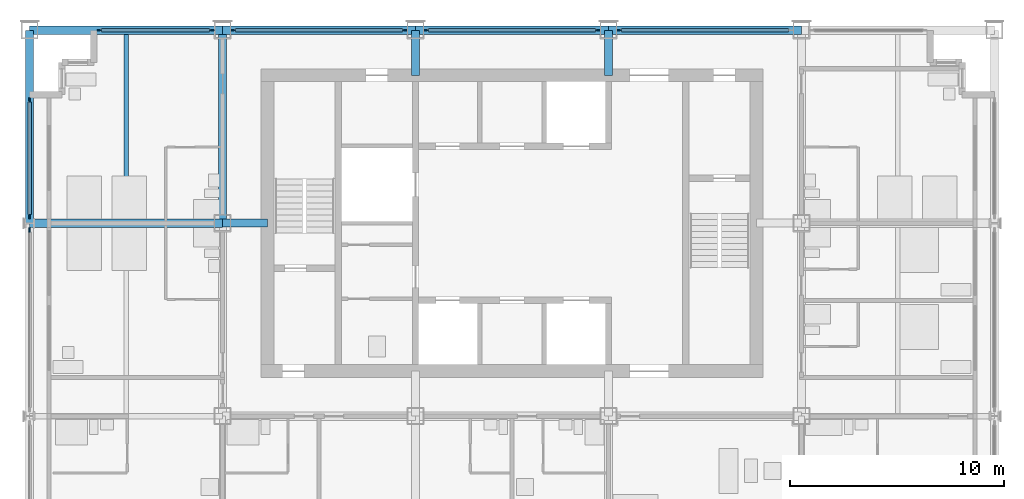
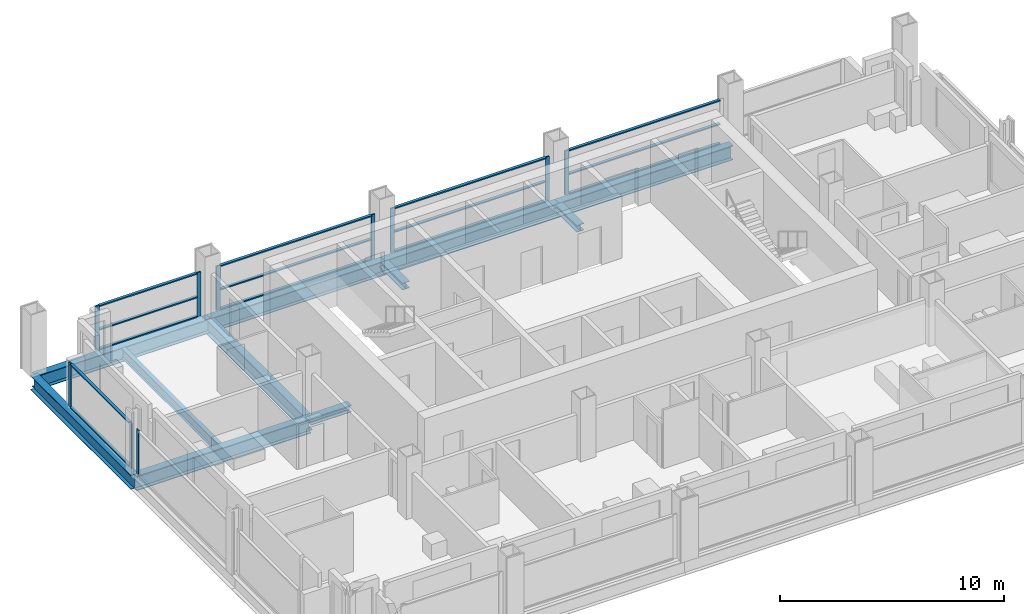
# One storey, part 4 of 13: 27 members, 8 beams, 6 elements without a shape of their own.
"""IFC4 building model written with IfcOpenShell, lengths in metres."""

from ifc_helpers import new_model, si_unit, direction, frame, origin, origin_2d, place, context, subcontext, project, spatial, rectangle, i_section, extrude, material, material_profile, profile_set, type_object, element, aggregate, save


model = new_model("IFC4")

# Units and contexts
model_context = context("Model", 3, precision=1e-05, world=origin(), true_north=direction((0.0, 1.0)))
body_context = subcontext(model_context, "Body", "Model", "MODEL_VIEW")
ifc_project = project(units=[si_unit("LENGTHUNIT", "METRE"), si_unit("AREAUNIT", "SQUARE_METRE"), si_unit("VOLUMEUNIT", "CUBIC_METRE"), si_unit("PLANEANGLEUNIT", "RADIAN"), si_unit("MASSUNIT", "GRAM", prefix="KILO")], contexts=[model_context])

# Site, building, storey
site_placement = place(None, origin())
site = spatial("IfcSite", under=ifc_project, at=site_placement, CompositionType="ELEMENT")
building_placement = place(site_placement, origin())
building = spatial("IfcBuilding", under=site, at=building_placement, Name="Loomwork Tower", CompositionType="ELEMENT")
storey_placement = place(building_placement, frame((0.0, 0.0, 197.800048828125)))
storey = spatial("IfcBuildingStorey", under=building, at=storey_placement, Name="L54", CompositionType="ELEMENT", Elevation=197.800048828125)

# Beams
ifc_material_1 = material(Name="Steel ASTM A992", Category="steel")
ifc_material_profile_1 = material_profile(ifc_material_1, i_section(OverallWidth=0.383544921875, OverallDepth=0.794921875, WebThickness=0.02099609375, FlangeThickness=0.0380859375, at=origin_2d()), Name="W30x235")
ifc_profile_set_1 = profile_set([ifc_material_profile_1], Name="Steel ASTM A992")
beam_type_1 = type_object("IfcBeamType", Name="CORE FLANK GIRDER W30x235", PredefinedType="BEAM", material=ifc_profile_set_1)
for number, where, z_axis, x_axis, name in (
    (1, (0.0, 18.0, -0.59765625), (1.0, 0.0, 0.0), (0.0, 1.0, 0.0), "Core Flank Girder F/2-F/3 L54"),
    (2, (9.0, 18.0, -0.59765625), (0.0, 1.0, 0.0), (-1.0, 0.0, 0.0), "Core Flank Girder F/3-G/3 L54"),
):
    element("IfcBeam", number, at=place(storey_placement, frame(where, z_axis=z_axis, x_axis=x_axis)), inside=storey, type_object=beam_type_1, Name=name, PredefinedType="BEAM", context=body_context, shape_type="SweptSolid", body=[
        extrude(i_section(OverallWidth=0.383544921875, OverallDepth=0.794921875, WebThickness=0.02099609375, FlangeThickness=0.0380859375, at=origin_2d()), origin(), (0.0, 0.0, 1.0), 9.0),
    ])

# Members
ifc_material_2 = material(Name="Steel ASTM A992", Category="steel")
ifc_material_profile_2 = material_profile(ifc_material_2, i_section(OverallWidth=0.373291015625, OverallDepth=0.373291015625, WebThickness=0.016357421875, FlangeThickness=0.026123046875, at=origin_2d()), Name="W14x132")
ifc_profile_set_2 = profile_set([ifc_material_profile_2], Name="Steel ASTM A992")
member_type_1 = type_object("IfcMemberType", Name="CORE LINK STRUT W14x132", PredefinedType="STRUT", material=ifc_profile_set_2)
for number, where, z_axis, x_axis, name in (
    (3, (27.0, 27.0, -0.38671875), (0.0, -1.0, 0.0), (1.0, 0.0, 0.0), "Core link strut G/5-27.000,24.900 L54"),
    (4, (18.0, 27.0, -0.38671875), (0.0, -1.0, 0.0), (1.0, 0.0, 0.0), "Core link strut G/4-18.000,24.900 L54"),
    (5, (9.0, 18.0, -0.38671875), (1.0, 0.0, 0.0), (0.0, 1.0, 0.0), "Core link strut F/3-11.100,18.000 L54"),
):
    element("IfcMember", number, at=place(storey_placement, frame(where, z_axis=z_axis, x_axis=x_axis)), inside=storey, type_object=member_type_1, Name=name, PredefinedType="STRUT", context=body_context, shape_type="SweptSolid", body=[
        extrude(i_section(OverallWidth=0.373291015625, OverallDepth=0.373291015625, WebThickness=0.016357421875, FlangeThickness=0.026123046875, at=origin_2d()), origin(), (0.0, 0.0, 1.0), 2.10009765625),
    ])

# Beam
ifc_material_3 = material(Name="Steel ASTM A992", Category="steel")
ifc_material_profile_3 = material_profile(ifc_material_3, i_section(OverallWidth=0.2109375, OverallDepth=0.53857421875, WebThickness=0.011474609375, FlangeThickness=0.018798828125, at=origin_2d()), Name="W21x73")
ifc_profile_set_3 = profile_set([ifc_material_profile_3], Name="Steel ASTM A992")
beam_type_2 = type_object("IfcBeamType", Name="FLOOR JOIST W21x73", PredefinedType="JOIST", material=ifc_profile_set_3)
beam_placement = place(storey_placement, frame((4.5, 18.19091796875, -0.46923828125), z_axis=(0.0, 1.0, 0.0), x_axis=(-1.0, 0.0, 0.0)))
element("IfcBeam", 6, at=beam_placement, inside=storey, type_object=beam_type_2, Name="Floor Joist 4.500,18.000-4.500,27.000 L54", PredefinedType="JOIST", context=body_context, shape_type="SweptSolid", body=[
    extrude(i_section(OverallWidth=0.2109375, OverallDepth=0.53857421875, WebThickness=0.011474609375, FlangeThickness=0.018798828125, at=origin_2d()), origin(), (0.0, 0.0, 1.0), 8.619140625),
])

# Curtain wall, member
ifc_material_4 = material(Name="Aluminium curtain wall frame", Category="aluminium")
curtain_wall_type_1 = type_object("IfcCurtainWallType", Name="Outer skin glazing hotel", PredefinedType="NOTDEFINED", material=ifc_material_4)
curtain_wall_1_placement = place(storey_placement, origin())
curtain_wall_1 = element("IfcCurtainWall", 7, at=curtain_wall_1_placement, inside=storey, type_object=curtain_wall_type_1, Name="Outer skin glazing hotel cw/W-9", PredefinedType="NOTDEFINED")
ifc_material_5 = material(Name="Aluminium curtain wall frame", Category="aluminium")
ifc_material_profile_4 = material_profile(ifc_material_5, rectangle(XDim=0.06494140625, YDim=0.199951171875, at=origin_2d()), Name="AL 65x200")
ifc_profile_set_4 = profile_set([ifc_material_profile_4], Name="Aluminium curtain wall frame")
member_type_2 = type_object("IfcMemberType", Name="Outer skin glazing hotel mullion", PredefinedType="MULLION", material=ifc_profile_set_4)
member_1_placement = place(storey_placement, frame((0.0, 17.6865234375, 0.0), z_axis=(0.0, 0.0, 1.0), x_axis=(1.0, 0.0, 0.0)))
member_1 = element("IfcMember", 8, at=member_1_placement, type_object=member_type_2, Name="CW1 mullion 1", PredefinedType="MULLION", context=body_context, shape_type="SweptSolid", body=[
    extrude(rectangle(XDim=0.06494140625, YDim=0.199951171875, at=origin_2d()), origin(), (0.0, 0.0, 1.0), 2.420166015625),
])
aggregate(curtain_wall_1, [member_1])

# Curtain wall, members
curtain_wall_2_placement = place(storey_placement, origin())
curtain_wall_2 = element("IfcCurtainWall", 9, at=curtain_wall_2_placement, inside=storey, type_object=curtain_wall_type_1, Name="Outer skin glazing hotel cw/W-18", PredefinedType="NOTDEFINED")
member_2_placement = place(storey_placement, frame((0.0, 23.75, 0.0), z_axis=(0.0, 0.0, 1.0), x_axis=(1.0, 0.0, 0.0)))
member_2 = element("IfcMember", 10, at=member_2_placement, type_object=member_type_2, Name="CW1 mullion 1", PredefinedType="MULLION", context=body_context, shape_type="SweptSolid", body=[
    extrude(rectangle(XDim=0.06494140625, YDim=0.199951171875, at=origin_2d()), origin(), (0.0, 0.0, 1.0), 2.420166015625),
])
member_3_placement = place(storey_placement, frame((0.0, 18.3134765625, 0.0), z_axis=(0.0, 0.0, 1.0), x_axis=(1.0, 0.0, 0.0)))
member_3 = element("IfcMember", 11, at=member_3_placement, type_object=member_type_2, Name="CW1 mullion 2", PredefinedType="MULLION", context=body_context, shape_type="SweptSolid", body=[
    extrude(rectangle(XDim=0.06494140625, YDim=0.199951171875, at=origin_2d()), origin(), (0.0, 0.0, 1.0), 2.420166015625),
])
ifc_material_6 = material(Name="Aluminium curtain wall frame", Category="aluminium")
ifc_material_profile_5 = material_profile(ifc_material_6, rectangle(XDim=0.14990234375, YDim=0.06494140625, at=origin_2d()), Name="AL 65x150")
ifc_profile_set_5 = profile_set([ifc_material_profile_5], Name="Aluminium curtain wall frame")
member_type_3 = type_object("IfcMemberType", Name="Outer skin glazing hotel transom", PredefinedType="USERDEFINED", material=ifc_profile_set_5)
member_4_placement = place(storey_placement, frame((0.0, 23.64990234375, 0.032470703125), z_axis=(0.0, -1.0, 0.0), x_axis=(1.0, 0.0, 0.0)))
member_4 = element("IfcMember", 12, at=member_4_placement, type_object=member_type_3, Name="CW1 transom 1.1", ObjectType="TRANSOM", PredefinedType="USERDEFINED", context=body_context, shape_type="SweptSolid", body=[
    extrude(rectangle(XDim=0.14990234375, YDim=0.06494140625, at=origin_2d()), origin(), (0.0, 0.0, 1.0), 5.236572265625),
])
member_5_placement = place(storey_placement, frame((0.0, 23.64990234375, 2.3876953125), z_axis=(0.0, -1.0, 0.0), x_axis=(1.0, 0.0, 0.0)))
member_5 = element("IfcMember", 13, at=member_5_placement, type_object=member_type_3, Name="CW1 transom 1.2", ObjectType="TRANSOM", PredefinedType="USERDEFINED", context=body_context, shape_type="SweptSolid", body=[
    extrude(rectangle(XDim=0.14990234375, YDim=0.06494140625, at=origin_2d()), origin(), (0.0, 0.0, 1.0), 5.236572265625),
])
aggregate(curtain_wall_2, [member_2, member_3, member_4, member_5])

# Beams
ifc_material_7 = material(Name="Steel ASTM A992", Category="steel")
ifc_material_profile_6 = material_profile(ifc_material_7, i_section(OverallWidth=0.381103515625, OverallDepth=0.77978515625, WebThickness=0.01806640625, FlangeThickness=0.0302734375, at=origin_2d()), Name="W30x191")
ifc_profile_set_6 = profile_set([ifc_material_profile_6], Name="Steel ASTM A992")
beam_type_3 = type_object("IfcBeamType", Name="SPANDREL GIRDER W30x191", PredefinedType="SPANDREL", material=ifc_profile_set_6)
for number, where, z_axis, x_axis, name in (
    (14, (0.0, 27.0, -0.58984375), (1.0, 0.0, 0.0), (0.0, 1.0, 0.0), "Spandrel Girder G/2-G/3 L54"),
    (15, (9.0, 27.0, -0.58984375), (1.0, 0.0, 0.0), (0.0, 1.0, 0.0), "Spandrel Girder G/3-G/4 L54"),
    (16, (18.0, 27.0, -0.58984375), (1.0, 0.0, 0.0), (0.0, 1.0, 0.0), "Spandrel Girder G/4-G/5 L54"),
    (17, (27.0, 27.0, -0.58984375), (1.0, 0.0, 0.0), (0.0, 1.0, 0.0), "Spandrel Girder G/5-G/6 L54"),
    (18, (0.0, 18.0, -0.58984375), (0.0, 1.0, 0.0), (-1.0, 0.0, 0.0), "Spandrel Girder F/2-G/2 L54"),
):
    element("IfcBeam", number, at=place(storey_placement, frame(where, z_axis=z_axis, x_axis=x_axis)), inside=storey, type_object=beam_type_3, Name=name, PredefinedType="SPANDREL", context=body_context, shape_type="SweptSolid", body=[
        extrude(i_section(OverallWidth=0.381103515625, OverallDepth=0.77978515625, WebThickness=0.01806640625, FlangeThickness=0.0302734375, at=origin_2d()), origin(), (0.0, 0.0, 1.0), 9.0),
    ])

# Curtain wall, members
ifc_material_8 = material(Name="Aluminium curtain wall frame", Category="aluminium")
curtain_wall_type_2 = type_object("IfcCurtainWallType", Name="Single skin glazing corridor", PredefinedType="NOTDEFINED", material=ifc_material_8)
curtain_wall_3_placement = place(storey_placement, origin())
curtain_wall_3 = element("IfcCurtainWall", 19, at=curtain_wall_3_placement, inside=storey, type_object=curtain_wall_type_2, Name="Single skin glazing corridor cw/N-0", PredefinedType="NOTDEFINED")
ifc_material_9 = material(Name="Aluminium curtain wall frame", Category="aluminium")
ifc_material_profile_7 = material_profile(ifc_material_9, rectangle(XDim=0.06494140625, YDim=0.199951171875, at=origin_2d()), Name="AL 65x200")
ifc_profile_set_7 = profile_set([ifc_material_profile_7], Name="Aluminium curtain wall frame")
member_type_4 = type_object("IfcMemberType", Name="Single skin glazing corridor mullion", PredefinedType="MULLION", material=ifc_profile_set_7)
member_6_placement = place(storey_placement, frame((8.5, 27.0, 0.0), z_axis=(0.0, 0.0, 1.0), x_axis=(0.0, -1.0, 0.0)))
member_6 = element("IfcMember", 20, at=member_6_placement, type_object=member_type_4, Name="CW3 mullion 1", PredefinedType="MULLION", context=body_context, shape_type="SweptSolid", body=[
    extrude(rectangle(XDim=0.06494140625, YDim=0.199951171875, at=origin_2d()), origin(), (0.0, 0.0, 1.0), 2.420166015625),
])
member_7_placement = place(storey_placement, frame((3.25, 27.0, 0.0), z_axis=(0.0, 0.0, 1.0), x_axis=(0.0, -1.0, 0.0)))
member_7 = element("IfcMember", 21, at=member_7_placement, type_object=member_type_4, Name="CW3 mullion 2", PredefinedType="MULLION", context=body_context, shape_type="SweptSolid", body=[
    extrude(rectangle(XDim=0.06494140625, YDim=0.199951171875, at=origin_2d()), origin(), (0.0, 0.0, 1.0), 2.420166015625),
])

curtain_wall_4_placement = place(storey_placement, origin())
curtain_wall_4 = element("IfcCurtainWall", 22, at=curtain_wall_4_placement, inside=storey, type_object=curtain_wall_type_2, Name="Single skin glazing corridor cw/N-9", PredefinedType="NOTDEFINED")
member_8_placement = place(storey_placement, frame((17.5, 27.0, 0.0), z_axis=(0.0, 0.0, 1.0), x_axis=(0.0, -1.0, 0.0)))
member_8 = element("IfcMember", 23, at=member_8_placement, type_object=member_type_4, Name="CW3 mullion 1", PredefinedType="MULLION", context=body_context, shape_type="SweptSolid", body=[
    extrude(rectangle(XDim=0.06494140625, YDim=0.199951171875, at=origin_2d()), origin(), (0.0, 0.0, 1.0), 2.420166015625),
])
member_9_placement = place(storey_placement, frame((9.5, 27.0, 0.0), z_axis=(0.0, 0.0, 1.0), x_axis=(0.0, -1.0, 0.0)))
member_9 = element("IfcMember", 24, at=member_9_placement, type_object=member_type_4, Name="CW3 mullion 2", PredefinedType="MULLION", context=body_context, shape_type="SweptSolid", body=[
    extrude(rectangle(XDim=0.06494140625, YDim=0.199951171875, at=origin_2d()), origin(), (0.0, 0.0, 1.0), 2.420166015625),
])

curtain_wall_5_placement = place(storey_placement, origin())
curtain_wall_5 = element("IfcCurtainWall", 25, at=curtain_wall_5_placement, inside=storey, type_object=curtain_wall_type_2, Name="Single skin glazing corridor cw/N-18", PredefinedType="NOTDEFINED")
member_10_placement = place(storey_placement, frame((26.5, 27.0, 0.0), z_axis=(0.0, 0.0, 1.0), x_axis=(0.0, -1.0, 0.0)))
member_10 = element("IfcMember", 26, at=member_10_placement, type_object=member_type_4, Name="CW3 mullion 1", PredefinedType="MULLION", context=body_context, shape_type="SweptSolid", body=[
    extrude(rectangle(XDim=0.06494140625, YDim=0.199951171875, at=origin_2d()), origin(), (0.0, 0.0, 1.0), 2.420166015625),
])
member_11_placement = place(storey_placement, frame((18.5, 27.0, 0.0), z_axis=(0.0, 0.0, 1.0), x_axis=(0.0, -1.0, 0.0)))
member_11 = element("IfcMember", 27, at=member_11_placement, type_object=member_type_4, Name="CW3 mullion 2", PredefinedType="MULLION", context=body_context, shape_type="SweptSolid", body=[
    extrude(rectangle(XDim=0.06494140625, YDim=0.199951171875, at=origin_2d()), origin(), (0.0, 0.0, 1.0), 2.420166015625),
])

# Curtain wall, member
curtain_wall_6_placement = place(storey_placement, origin())
curtain_wall_6 = element("IfcCurtainWall", 28, at=curtain_wall_6_placement, inside=storey, type_object=curtain_wall_type_2, Name="Single skin glazing corridor cw/N-27", PredefinedType="NOTDEFINED")
member_12_placement = place(storey_placement, frame((27.5, 27.0, 0.0), z_axis=(0.0, 0.0, 1.0), x_axis=(0.0, -1.0, 0.0)))
member_12 = element("IfcMember", 29, at=member_12_placement, type_object=member_type_4, Name="CW3 mullion 2", PredefinedType="MULLION", context=body_context, shape_type="SweptSolid", body=[
    extrude(rectangle(XDim=0.06494140625, YDim=0.199951171875, at=origin_2d()), origin(), (0.0, 0.0, 1.0), 2.420166015625),
])

# Member
ifc_material_10 = material(Name="Aluminium curtain wall frame", Category="aluminium")
ifc_material_profile_8 = material_profile(ifc_material_10, rectangle(XDim=0.14990234375, YDim=0.06494140625, at=origin_2d()), Name="AL 65x150")
ifc_profile_set_8 = profile_set([ifc_material_profile_8], Name="Aluminium curtain wall frame")
member_type_5 = type_object("IfcMemberType", Name="Single skin glazing corridor transom", PredefinedType="USERDEFINED", material=ifc_profile_set_8)
member_13_placement = place(storey_placement, frame((8.39990234375, 27.0, 0.032470703125), z_axis=(-1.0, 0.0, 0.0), x_axis=(0.0, -1.0, 0.0)))
member_13 = element("IfcMember", 30, at=member_13_placement, type_object=member_type_5, Name="CW3 transom 1.1", ObjectType="TRANSOM", PredefinedType="USERDEFINED", context=body_context, shape_type="SweptSolid", body=[
    extrude(rectangle(XDim=0.14990234375, YDim=0.06494140625, at=origin_2d()), origin(), (0.0, 0.0, 1.0), 5.0498046875),
])

member_14_placement = place(storey_placement, frame((8.39990234375, 27.0, 1.099853515625), z_axis=(-1.0, 0.0, 0.0), x_axis=(0.0, -1.0, 0.0)))
member_14 = element("IfcMember", 31, at=member_14_placement, type_object=member_type_5, Name="CW3 transom 1.2", ObjectType="TRANSOM", PredefinedType="USERDEFINED", context=body_context, shape_type="SweptSolid", body=[
    extrude(rectangle(XDim=0.14990234375, YDim=0.06494140625, at=origin_2d()), origin(), (0.0, 0.0, 1.0), 5.0498046875),
])

member_15_placement = place(storey_placement, frame((8.39990234375, 27.0, 2.3876953125), z_axis=(-1.0, 0.0, 0.0), x_axis=(0.0, -1.0, 0.0)))
member_15 = element("IfcMember", 32, at=member_15_placement, type_object=member_type_5, Name="CW3 transom 1.3", ObjectType="TRANSOM", PredefinedType="USERDEFINED", context=body_context, shape_type="SweptSolid", body=[
    extrude(rectangle(XDim=0.14990234375, YDim=0.06494140625, at=origin_2d()), origin(), (0.0, 0.0, 1.0), 5.0498046875),
])

aggregate(curtain_wall_3, [member_6, member_7, member_13, member_14, member_15])

member_16_placement = place(storey_placement, frame((17.39990234375, 27.0, 0.032470703125), z_axis=(-1.0, 0.0, 0.0), x_axis=(0.0, -1.0, 0.0)))
member_16 = element("IfcMember", 33, at=member_16_placement, type_object=member_type_5, Name="CW3 transom 1.1", ObjectType="TRANSOM", PredefinedType="USERDEFINED", context=body_context, shape_type="SweptSolid", body=[
    extrude(rectangle(XDim=0.14990234375, YDim=0.06494140625, at=origin_2d()), origin(), (0.0, 0.0, 1.0), 7.7998046875),
])

member_17_placement = place(storey_placement, frame((17.39990234375, 27.0, 1.099853515625), z_axis=(-1.0, 0.0, 0.0), x_axis=(0.0, -1.0, 0.0)))
member_17 = element("IfcMember", 34, at=member_17_placement, type_object=member_type_5, Name="CW3 transom 1.2", ObjectType="TRANSOM", PredefinedType="USERDEFINED", context=body_context, shape_type="SweptSolid", body=[
    extrude(rectangle(XDim=0.14990234375, YDim=0.06494140625, at=origin_2d()), origin(), (0.0, 0.0, 1.0), 7.7998046875),
])

member_18_placement = place(storey_placement, frame((17.39990234375, 27.0, 2.3876953125), z_axis=(-1.0, 0.0, 0.0), x_axis=(0.0, -1.0, 0.0)))
member_18 = element("IfcMember", 35, at=member_18_placement, type_object=member_type_5, Name="CW3 transom 1.3", ObjectType="TRANSOM", PredefinedType="USERDEFINED", context=body_context, shape_type="SweptSolid", body=[
    extrude(rectangle(XDim=0.14990234375, YDim=0.06494140625, at=origin_2d()), origin(), (0.0, 0.0, 1.0), 7.7998046875),
])

aggregate(curtain_wall_4, [member_8, member_9, member_16, member_17, member_18])

member_19_placement = place(storey_placement, frame((26.39990234375, 27.0, 0.032470703125), z_axis=(-1.0, 0.0, 0.0), x_axis=(0.0, -1.0, 0.0)))
member_19 = element("IfcMember", 36, at=member_19_placement, type_object=member_type_5, Name="CW3 transom 1.1", ObjectType="TRANSOM", PredefinedType="USERDEFINED", context=body_context, shape_type="SweptSolid", body=[
    extrude(rectangle(XDim=0.14990234375, YDim=0.06494140625, at=origin_2d()), origin(), (0.0, 0.0, 1.0), 7.7998046875),
])

member_20_placement = place(storey_placement, frame((26.39990234375, 27.0, 1.099853515625), z_axis=(-1.0, 0.0, 0.0), x_axis=(0.0, -1.0, 0.0)))
member_20 = element("IfcMember", 37, at=member_20_placement, type_object=member_type_5, Name="CW3 transom 1.2", ObjectType="TRANSOM", PredefinedType="USERDEFINED", context=body_context, shape_type="SweptSolid", body=[
    extrude(rectangle(XDim=0.14990234375, YDim=0.06494140625, at=origin_2d()), origin(), (0.0, 0.0, 1.0), 7.7998046875),
])

member_21_placement = place(storey_placement, frame((26.39990234375, 27.0, 2.3876953125), z_axis=(-1.0, 0.0, 0.0), x_axis=(0.0, -1.0, 0.0)))
member_21 = element("IfcMember", 38, at=member_21_placement, type_object=member_type_5, Name="CW3 transom 1.3", ObjectType="TRANSOM", PredefinedType="USERDEFINED", context=body_context, shape_type="SweptSolid", body=[
    extrude(rectangle(XDim=0.14990234375, YDim=0.06494140625, at=origin_2d()), origin(), (0.0, 0.0, 1.0), 7.7998046875),
])

aggregate(curtain_wall_5, [member_10, member_11, member_19, member_20, member_21])

member_22_placement = place(storey_placement, frame((35.39990234375, 27.0, 0.032470703125), z_axis=(-1.0, 0.0, 0.0), x_axis=(0.0, -1.0, 0.0)))
member_22 = element("IfcMember", 39, at=member_22_placement, type_object=member_type_5, Name="CW3 transom 1.1", ObjectType="TRANSOM", PredefinedType="USERDEFINED", context=body_context, shape_type="SweptSolid", body=[
    extrude(rectangle(XDim=0.14990234375, YDim=0.06494140625, at=origin_2d()), origin(), (0.0, 0.0, 1.0), 7.7998046875),
])

member_23_placement = place(storey_placement, frame((35.39990234375, 27.0, 1.099853515625), z_axis=(-1.0, 0.0, 0.0), x_axis=(0.0, -1.0, 0.0)))
member_23 = element("IfcMember", 40, at=member_23_placement, type_object=member_type_5, Name="CW3 transom 1.2", ObjectType="TRANSOM", PredefinedType="USERDEFINED", context=body_context, shape_type="SweptSolid", body=[
    extrude(rectangle(XDim=0.14990234375, YDim=0.06494140625, at=origin_2d()), origin(), (0.0, 0.0, 1.0), 7.7998046875),
])

member_24_placement = place(storey_placement, frame((35.39990234375, 27.0, 2.3876953125), z_axis=(-1.0, 0.0, 0.0), x_axis=(0.0, -1.0, 0.0)))
member_24 = element("IfcMember", 41, at=member_24_placement, type_object=member_type_5, Name="CW3 transom 1.3", ObjectType="TRANSOM", PredefinedType="USERDEFINED", context=body_context, shape_type="SweptSolid", body=[
    extrude(rectangle(XDim=0.14990234375, YDim=0.06494140625, at=origin_2d()), origin(), (0.0, 0.0, 1.0), 7.7998046875),
])

aggregate(curtain_wall_6, [member_12, member_22, member_23, member_24])

save(model, "model.ifc")
